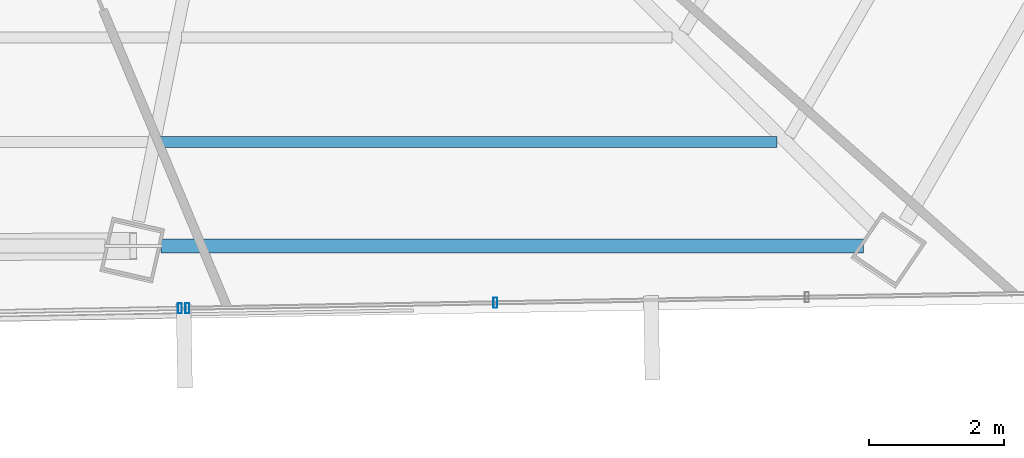
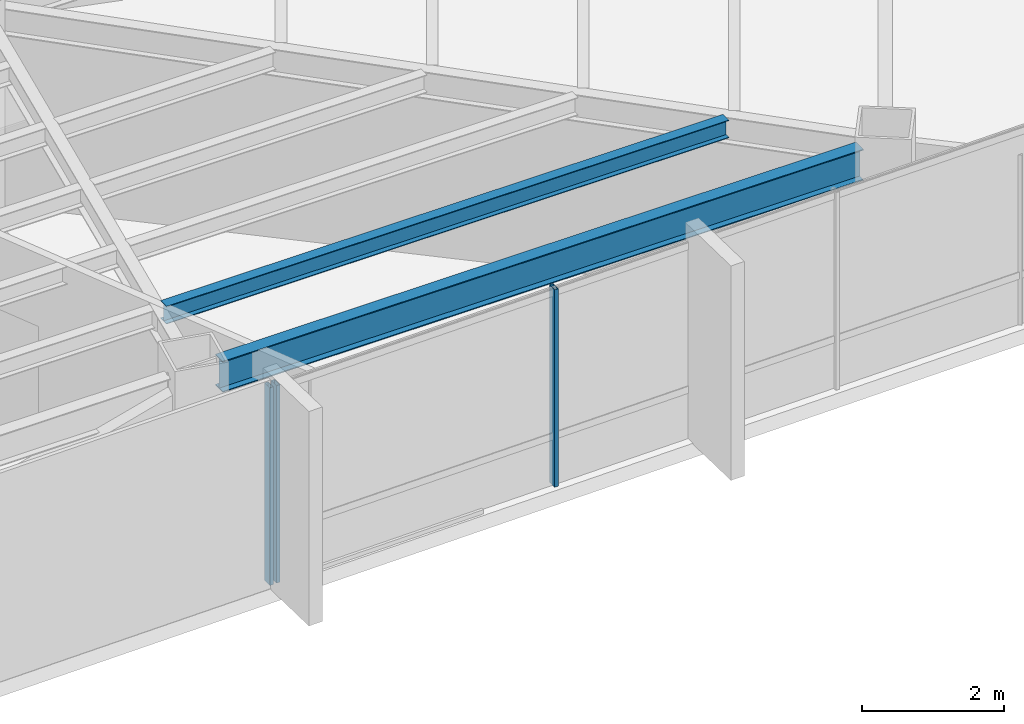
# One storey, part 18 of 42: 3 members, 2 beams, 2 elements without a shape of their own.
"""IFC4 building model written with IfcOpenShell, lengths in metres."""

from ifc_helpers import new_model, si_unit, direction, frame, origin, origin_2d, place, context, subcontext, project, spatial, hollow_rectangle, i_section, extrude, source, transform, mapped, material, material_profile, profile_set, type_object, type_shapes, element, aggregate, save


model = new_model("IFC4")

# Units and contexts
model_context = context("Model", 3, precision=1e-05, world=origin(), true_north=direction((0.0, 1.0)))
body_context = subcontext(model_context, "Body", "Model", "MODEL_VIEW")
ifc_project = project(units=[si_unit("LENGTHUNIT", "METRE"), si_unit("AREAUNIT", "SQUARE_METRE"), si_unit("VOLUMEUNIT", "CUBIC_METRE"), si_unit("PLANEANGLEUNIT", "RADIAN"), si_unit("MASSUNIT", "GRAM", prefix="KILO")], contexts=[model_context])

# Site, building, storey
site_placement = place(None, origin())
site = spatial("IfcSite", under=ifc_project, at=site_placement, CompositionType="ELEMENT")
building_placement = place(site_placement, origin())
building = spatial("IfcBuilding", under=site, at=building_placement, Name="Caelisora Broadcast Tower", CompositionType="ELEMENT")
storey_placement = place(building_placement, frame((0.0, 0.0, 191.35009765625)))
storey = spatial("IfcBuildingStorey", under=building, at=storey_placement, Name="L50", CompositionType="ELEMENT", Elevation=191.35009765625)

# Beams
ifc_material_1 = material(Name="Steel Grade 350 (AS/NZS 3679.1)", Category="steel")
ifc_material_profile_1 = material_profile(ifc_material_1, i_section(OverallWidth=0.208984375, OverallDepth=0.532958984375, WebThickness=0.01025390625, FlangeThickness=0.015625, at=origin_2d()), Name="Steel Grade 350 (AS/NZS 3679.1)")
ifc_profile_set_1 = profile_set([ifc_material_profile_1], Name="Steel Grade 350 (AS/NZS 3679.1)")
beam_type_1 = type_object("IfcBeamType", Name="PG05", PredefinedType="BEAM", material=ifc_profile_set_1)
shared_shape_1 = source(origin(), body_context, "Body", "SweptSolid", [
    extrude(i_section(OverallWidth=0.208984375, OverallDepth=0.532958984375, WebThickness=0.01025390625, FlangeThickness=0.015625, at=origin_2d()), origin(), (0.0, 0.0, 1.0), 10.426025390625),
])
type_shapes(beam_type_1, [shared_shape_1])
beam_1_placement = place(storey_placement, frame((44.044921875, 8.11572265625, 3.13330078125), z_axis=(1.0, 0.0, 0.0), x_axis=(0.0, 1.0, 0.0)))
element("IfcBeam", 1, at=beam_1_placement, inside=storey, type_object=beam_type_1, Name="L50 beam PG05", PredefinedType="BEAM", context=body_context, shape_type="MappedRepresentation", body=[
    mapped(shared_shape_1, transform((0.0, 0.0, 0.0), scale=1.0)),
])
ifc_material_profile_2 = material_profile(ifc_material_1, i_section(OverallWidth=0.166015625, OverallDepth=0.30712890625, WebThickness=0.006591796875, FlangeThickness=0.01171875, at=origin_2d()), Name="Steel Grade 350 (AS/NZS 3679.1)")
ifc_profile_set_2 = profile_set([ifc_material_profile_2], Name="Steel Grade 350 (AS/NZS 3679.1)")
beam_type_2 = type_object("IfcBeamType", Name="SB03", PredefinedType="JOIST", material=ifc_profile_set_2)
shared_shape_2 = source(origin(), body_context, "Body", "SweptSolid", [
    extrude(i_section(OverallWidth=0.166015625, OverallDepth=0.30712890625, WebThickness=0.006591796875, FlangeThickness=0.01171875, at=origin_2d()), origin(), (0.0, 0.0, 1.0), 9.154541015625),
])
type_shapes(beam_type_2, [shared_shape_2])
beam_2_placement = place(storey_placement, frame((44.03515625, 9.6630859375, 3.246337890625), z_axis=(1.0, 0.0, 0.0), x_axis=(0.0, 1.0, 0.0)))
element("IfcBeam", 2, at=beam_2_placement, inside=storey, type_object=beam_type_2, Name="L50 beam SB03", PredefinedType="JOIST", context=body_context, shape_type="MappedRepresentation", body=[
    mapped(shared_shape_2, transform((0.0, 0.0, 0.0), scale=1.0)),
])

# Curtain wall, members
ifc_material_2 = material(Name="Unitised Aluminium and Low-E Glass Curtain Wall", Category="glass")
curtain_wall_type_1 = type_object("IfcCurtainWallType", Name="CW-Z4", PredefinedType="NOTDEFINED", material=ifc_material_2)
curtain_wall_1_placement = place(storey_placement, origin())
curtain_wall_1 = element("IfcCurtainWall", 3, at=curtain_wall_1_placement, inside=storey, type_object=curtain_wall_type_1, Name="L50 curtain wall CW-Z4", PredefinedType="NOTDEFINED")
ifc_material_3 = material(Name="Aluminium 6063-T6 Anodised Terracotta Bronze", Category="aluminium")
ifc_material_profile_3 = material_profile(ifc_material_3, hollow_rectangle(XDim=0.06005859375, YDim=0.14990234375, WallThickness=0.00341796875, at=origin_2d()), Name="Aluminium 6063-T6 Anodised Terracotta Bronze")
ifc_profile_set_3 = profile_set([ifc_material_profile_3], Name="Aluminium 6063-T6 Anodised Terracotta Bronze")
member_type = type_object("IfcMemberType", Name="CWM-03", PredefinedType="MULLION", material=ifc_profile_set_3)
shared_shape_3 = source(origin(), body_context, "Body", "SweptSolid", [
    extrude(hollow_rectangle(XDim=0.06005859375, YDim=0.14990234375, WallThickness=0.00341796875, at=origin_2d()), origin(), (0.0, 0.0, 1.0), 3.39990234375),
])
type_shapes(member_type, [shared_shape_3])
member_1_placement = place(storey_placement, frame((49.007080078125, 7.273681640625, 0.0), z_axis=(0.0, 0.0, 1.0), x_axis=(1.0, 0.0, 0.0)))
member_1 = element("IfcMember", 4, at=member_1_placement, type_object=member_type, Name="L50-CW-B05 mullion #2", PredefinedType="MULLION", context=body_context, shape_type="MappedRepresentation", body=[
    mapped(shared_shape_3, transform((0.0, 0.0, 0.0), scale=1.0)),
])
member_2_placement = place(storey_placement, frame((44.432861328125, 7.19287109375, 0.0), z_axis=(0.0, 0.0, 1.0), x_axis=(1.0, 0.0, 0.0)))
member_2 = element("IfcMember", 5, at=member_2_placement, type_object=member_type, Name="L50-CW-B05 mullion #3", PredefinedType="MULLION", context=body_context, shape_type="MappedRepresentation", body=[
    mapped(shared_shape_3, transform((0.0, 0.0, 0.0), scale=1.0)),
])
aggregate(curtain_wall_1, [member_1, member_2])

# Curtain wall, member
ifc_material_4 = material(Name="Unitised Aluminium Insulated Shadow-Box Spandrel Curtain Wall", Category="aluminium")
curtain_wall_type_2 = type_object("IfcCurtainWallType", Name="CW-SP2", PredefinedType="NOTDEFINED", material=ifc_material_4)
curtain_wall_2_placement = place(storey_placement, origin())
curtain_wall_2 = element("IfcCurtainWall", 6, at=curtain_wall_2_placement, inside=storey, type_object=curtain_wall_type_2, Name="L50 curtain wall CW-SP2", PredefinedType="NOTDEFINED")
member_3_placement = place(storey_placement, frame((44.32275390625, 7.19091796875, 0.0), z_axis=(0.0, 0.0, 1.0), x_axis=(1.0, 0.0, 0.0)))
member_3 = element("IfcMember", 7, at=member_3_placement, type_object=member_type, Name="L50-CW-B06 mullion #0", PredefinedType="MULLION", context=body_context, shape_type="MappedRepresentation", body=[
    mapped(shared_shape_3, transform((0.0, 0.0, 0.0), scale=1.0)),
])
aggregate(curtain_wall_2, [member_3])

save(model, "model.ifc")
